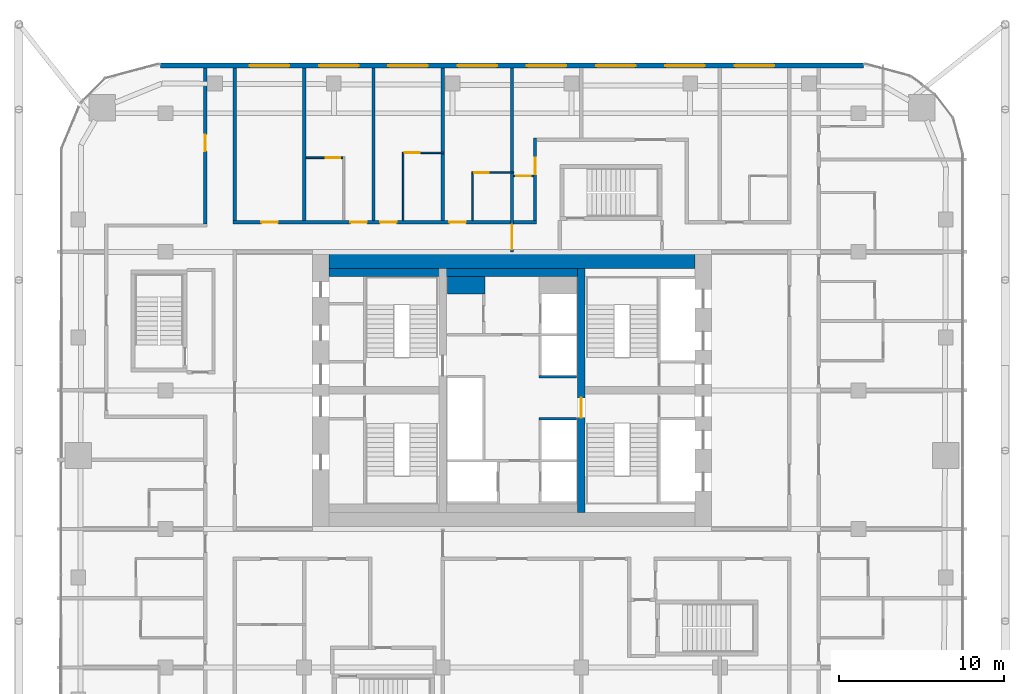
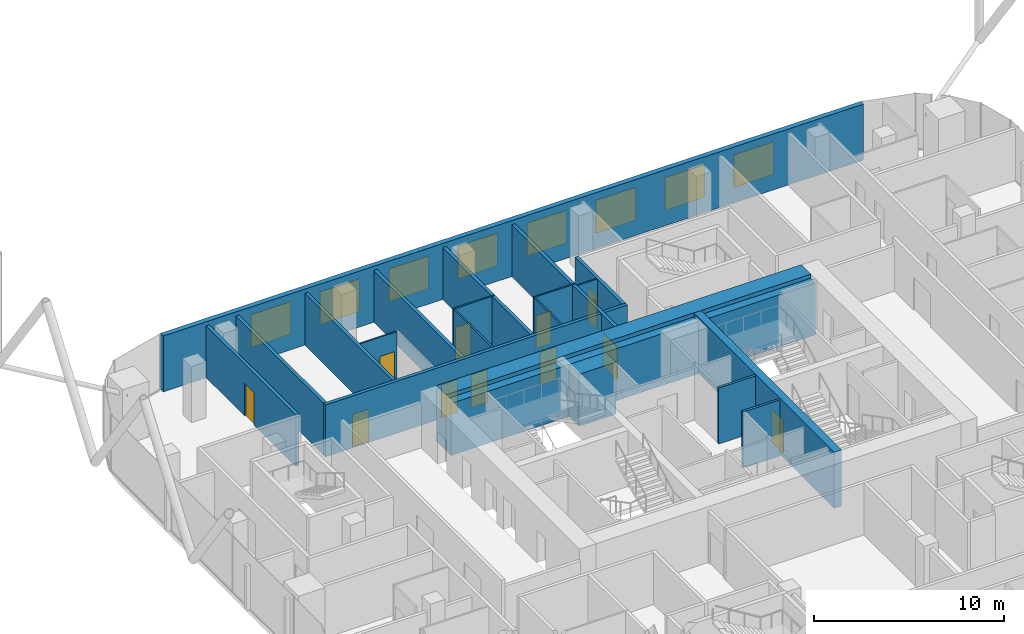
# One storey, part 29 of 33: 21 walls, 12 doors, 8 windows, 20 openings.
"""IFC4 building model written with IfcOpenShell, lengths in metres."""

from ifc_helpers import new_model, si_unit, direction, frame, frame_2d, origin, place, context, subcontext, project, spatial, rectangle, extrude, material, layer, layer_set, type_object, element, fill, save


model = new_model("IFC4")

# Units and contexts
model_context = context("Model", 3, precision=1e-05, world=origin(), true_north=direction((0.0, 1.0)))
body_context = subcontext(model_context, "Body", "Model", "MODEL_VIEW")
ifc_project = project(units=[si_unit("LENGTHUNIT", "METRE"), si_unit("AREAUNIT", "SQUARE_METRE"), si_unit("VOLUMEUNIT", "CUBIC_METRE"), si_unit("PLANEANGLEUNIT", "RADIAN"), si_unit("MASSUNIT", "GRAM", prefix="KILO")], contexts=[model_context])

# Site, building, storey
site_placement = place(None, origin())
site = spatial("IfcSite", under=ifc_project, at=site_placement, CompositionType="ELEMENT")
building_placement = place(site_placement, origin())
building = spatial("IfcBuilding", under=site, at=building_placement, Name="Marenta Gate Hotel Tower", CompositionType="ELEMENT")
storey_placement = place(building_placement, frame((0.0, 0.0, 108.5)))
storey = spatial("IfcBuildingStorey", under=building, at=storey_placement, Name="L23", CompositionType="ELEMENT", Elevation=108.5)

# Wall, openings, windows
ifc_material_1 = material(Name="Concrete C40 board-marked", Category="concrete")
ifc_layer_1 = layer(ifc_material_1, 0.300048828125)
ifc_layer_set_1 = layer_set([ifc_layer_1], Name="Concrete C40 board-marked")
wall_type_1 = type_object("IfcWallType", Name="Board-marked concrete wall 300 mm", PredefinedType="NOTDEFINED", material=ifc_layer_set_1)
wall_1_placement = place(storey_placement, frame((21.305908203125, 28.090087890625, 0.0), z_axis=(0.0, 0.0, 1.0), x_axis=(-1.0, 0.0, 0.0)))
wall_1 = element("IfcWall", 1, at=wall_1_placement, inside=storey, type_object=wall_type_1, Name="L23-CLD-N00", PredefinedType="NOTDEFINED", context=body_context, shape_type="SweptSolid", body=[
    extrude(rectangle(XDim=42.61181640625, YDim=0.300048828125, at=frame_2d((21.305908203125, 0.0))), origin(), (0.0, 0.0, 1.0), 3.60009765625),
])
opening_1_placement = place(wall_1_placement, frame((5.406005859375, 0.0, 0.89990234375)))
opening_1 = element("IfcOpeningElement", 2, at=opening_1_placement, cuts=wall_1, Name="Opening W1", PredefinedType="OPENING", context=body_context, shape_type="SweptSolid", body=[
    extrude(rectangle(XDim=2.39990234375, YDim=2.10009765625, at=frame_2d((1.199951171875, 1.050048828125))), frame((0.0, 0.14990234375, 0.0), z_axis=(0.0, -1.0, 0.0), x_axis=(1.0, 0.0, 0.0)), (0.0, 0.0, 1.0), 0.300048828125),
])
opening_2_placement = place(wall_1_placement, frame((9.60595703125, 0.0, 0.89990234375)))
opening_2 = element("IfcOpeningElement", 3, at=opening_2_placement, cuts=wall_1, Name="Opening W1", PredefinedType="OPENING", context=body_context, shape_type="SweptSolid", body=[
    extrude(rectangle(XDim=2.39990234375, YDim=2.10009765625, at=frame_2d((1.199951171875, 1.050048828125))), frame((0.0, 0.14990234375, 0.0), z_axis=(0.0, -1.0, 0.0), x_axis=(1.0, 0.0, 0.0)), (0.0, 0.0, 1.0), 0.300048828125),
])
opening_3_placement = place(wall_1_placement, frame((13.805908203125, 0.0, 0.89990234375)))
opening_3 = element("IfcOpeningElement", 4, at=opening_3_placement, cuts=wall_1, Name="Opening W1", PredefinedType="OPENING", context=body_context, shape_type="SweptSolid", body=[
    extrude(rectangle(XDim=2.39990234375, YDim=2.10009765625, at=frame_2d((1.199951171875, 1.050048828125))), frame((0.0, 0.14990234375, 0.0), z_axis=(0.0, -1.0, 0.0), x_axis=(1.0, 0.0, 0.0)), (0.0, 0.0, 1.0), 0.300048828125),
])
opening_4_placement = place(wall_1_placement, frame((18.005859375, 0.0, 0.89990234375)))
opening_4 = element("IfcOpeningElement", 5, at=opening_4_placement, cuts=wall_1, Name="Opening W1", PredefinedType="OPENING", context=body_context, shape_type="SweptSolid", body=[
    extrude(rectangle(XDim=2.39990234375, YDim=2.10009765625, at=frame_2d((1.199951171875, 1.050048828125))), frame((0.0, 0.14990234375, 0.0), z_axis=(0.0, -1.0, 0.0), x_axis=(1.0, 0.0, 0.0)), (0.0, 0.0, 1.0), 0.300048828125),
])
opening_5_placement = place(wall_1_placement, frame((22.205810546875, 0.0, 0.89990234375)))
opening_5 = element("IfcOpeningElement", 6, at=opening_5_placement, cuts=wall_1, Name="Opening W1", PredefinedType="OPENING", context=body_context, shape_type="SweptSolid", body=[
    extrude(rectangle(XDim=2.39990234375, YDim=2.10009765625, at=frame_2d((1.199951171875, 1.050048828125))), frame((0.0, 0.14990234375, 0.0), z_axis=(0.0, -1.0, 0.0), x_axis=(1.0, 0.0, 0.0)), (0.0, 0.0, 1.0), 0.300048828125),
])
opening_6_placement = place(wall_1_placement, frame((26.406005859375, 0.0, 0.89990234375)))
opening_6 = element("IfcOpeningElement", 7, at=opening_6_placement, cuts=wall_1, Name="Opening W1", PredefinedType="OPENING", context=body_context, shape_type="SweptSolid", body=[
    extrude(rectangle(XDim=2.39990234375, YDim=2.10009765625, at=frame_2d((1.199951171875, 1.050048828125))), frame((0.0, 0.14990234375, 0.0), z_axis=(0.0, -1.0, 0.0), x_axis=(1.0, 0.0, 0.0)), (0.0, 0.0, 1.0), 0.300048828125),
])
opening_7_placement = place(wall_1_placement, frame((30.60595703125, 0.0, 0.89990234375)))
opening_7 = element("IfcOpeningElement", 8, at=opening_7_placement, cuts=wall_1, Name="Opening W1", PredefinedType="OPENING", context=body_context, shape_type="SweptSolid", body=[
    extrude(rectangle(XDim=2.39990234375, YDim=2.10009765625, at=frame_2d((1.199951171875, 1.050048828125))), frame((0.0, 0.14990234375, 0.0), z_axis=(0.0, -1.0, 0.0), x_axis=(1.0, 0.0, 0.0)), (0.0, 0.0, 1.0), 0.300048828125),
])
opening_8_placement = place(wall_1_placement, frame((34.805908203125, 0.0, 0.89990234375)))
opening_8 = element("IfcOpeningElement", 9, at=opening_8_placement, cuts=wall_1, Name="Opening W1", PredefinedType="OPENING", context=body_context, shape_type="SweptSolid", body=[
    extrude(rectangle(XDim=2.39990234375, YDim=2.10009765625, at=frame_2d((1.199951171875, 1.050048828125))), frame((0.0, 0.14990234375, 0.0), z_axis=(0.0, -1.0, 0.0), x_axis=(1.0, 0.0, 0.0)), (0.0, 0.0, 1.0), 0.300048828125),
])
ifc_material_2 = material(Name="Tinted insulated glass in bronze anodised frame", Category="glass")
window_type = type_object("IfcWindowType", Name="Window W1 2400x2100 bronze frame", PartitioningType="SINGLE_PANEL", PredefinedType="WINDOW", material=ifc_material_2)
window_1_placement = place(opening_1_placement, origin())
window_1 = element("IfcWindow", 10, at=window_1_placement, inside=storey, type_object=window_type, Name="Window W1", OverallHeight=2.10009765625, OverallWidth=2.39990234375, PartitioningType="SINGLE_PANEL", PredefinedType="WINDOW", context=body_context, shape_type="SweptSolid", body=[
    extrude(rectangle(XDim=2.39990234375, YDim=2.10009765625, at=frame_2d((1.199951171875, 1.050048828125))), frame((0.0, 0.030029296875, 0.0), z_axis=(0.0, -1.0, 0.0), x_axis=(1.0, 0.0, 0.0)), (0.0, 0.0, 1.0), 0.06005859375),
])
fill(opening_1, window_1)
window_2_placement = place(opening_2_placement, origin())
window_2 = element("IfcWindow", 11, at=window_2_placement, inside=storey, type_object=window_type, Name="Window W1", OverallHeight=2.10009765625, OverallWidth=2.39990234375, PartitioningType="SINGLE_PANEL", PredefinedType="WINDOW", context=body_context, shape_type="SweptSolid", body=[
    extrude(rectangle(XDim=2.39990234375, YDim=2.10009765625, at=frame_2d((1.199951171875, 1.050048828125))), frame((0.0, 0.030029296875, 0.0), z_axis=(0.0, -1.0, 0.0), x_axis=(1.0, 0.0, 0.0)), (0.0, 0.0, 1.0), 0.06005859375),
])
fill(opening_2, window_2)
window_3_placement = place(opening_3_placement, origin())
window_3 = element("IfcWindow", 12, at=window_3_placement, inside=storey, type_object=window_type, Name="Window W1", OverallHeight=2.10009765625, OverallWidth=2.39990234375, PartitioningType="SINGLE_PANEL", PredefinedType="WINDOW", context=body_context, shape_type="SweptSolid", body=[
    extrude(rectangle(XDim=2.39990234375, YDim=2.10009765625, at=frame_2d((1.199951171875, 1.050048828125))), frame((0.0, 0.030029296875, 0.0), z_axis=(0.0, -1.0, 0.0), x_axis=(1.0, 0.0, 0.0)), (0.0, 0.0, 1.0), 0.06005859375),
])
fill(opening_3, window_3)
window_4_placement = place(opening_4_placement, origin())
window_4 = element("IfcWindow", 13, at=window_4_placement, inside=storey, type_object=window_type, Name="Window W1", OverallHeight=2.10009765625, OverallWidth=2.39990234375, PartitioningType="SINGLE_PANEL", PredefinedType="WINDOW", context=body_context, shape_type="SweptSolid", body=[
    extrude(rectangle(XDim=2.39990234375, YDim=2.10009765625, at=frame_2d((1.199951171875, 1.050048828125))), frame((0.0, 0.030029296875, 0.0), z_axis=(0.0, -1.0, 0.0), x_axis=(1.0, 0.0, 0.0)), (0.0, 0.0, 1.0), 0.06005859375),
])
fill(opening_4, window_4)
window_5_placement = place(opening_5_placement, origin())
window_5 = element("IfcWindow", 14, at=window_5_placement, inside=storey, type_object=window_type, Name="Window W1", OverallHeight=2.10009765625, OverallWidth=2.39990234375, PartitioningType="SINGLE_PANEL", PredefinedType="WINDOW", context=body_context, shape_type="SweptSolid", body=[
    extrude(rectangle(XDim=2.39990234375, YDim=2.10009765625, at=frame_2d((1.199951171875, 1.050048828125))), frame((0.0, 0.030029296875, 0.0), z_axis=(0.0, -1.0, 0.0), x_axis=(1.0, 0.0, 0.0)), (0.0, 0.0, 1.0), 0.06005859375),
])
fill(opening_5, window_5)
window_6_placement = place(opening_6_placement, origin())
window_6 = element("IfcWindow", 15, at=window_6_placement, inside=storey, type_object=window_type, Name="Window W1", OverallHeight=2.10009765625, OverallWidth=2.39990234375, PartitioningType="SINGLE_PANEL", PredefinedType="WINDOW", context=body_context, shape_type="SweptSolid", body=[
    extrude(rectangle(XDim=2.39990234375, YDim=2.10009765625, at=frame_2d((1.199951171875, 1.050048828125))), frame((0.0, 0.030029296875, 0.0), z_axis=(0.0, -1.0, 0.0), x_axis=(1.0, 0.0, 0.0)), (0.0, 0.0, 1.0), 0.06005859375),
])
fill(opening_6, window_6)
window_7_placement = place(opening_7_placement, origin())
window_7 = element("IfcWindow", 16, at=window_7_placement, inside=storey, type_object=window_type, Name="Window W1", OverallHeight=2.10009765625, OverallWidth=2.39990234375, PartitioningType="SINGLE_PANEL", PredefinedType="WINDOW", context=body_context, shape_type="SweptSolid", body=[
    extrude(rectangle(XDim=2.39990234375, YDim=2.10009765625, at=frame_2d((1.199951171875, 1.050048828125))), frame((0.0, 0.030029296875, 0.0), z_axis=(0.0, -1.0, 0.0), x_axis=(1.0, 0.0, 0.0)), (0.0, 0.0, 1.0), 0.06005859375),
])
fill(opening_7, window_7)
window_8_placement = place(opening_8_placement, origin())
window_8 = element("IfcWindow", 17, at=window_8_placement, inside=storey, type_object=window_type, Name="Window W1", OverallHeight=2.10009765625, OverallWidth=2.39990234375, PartitioningType="SINGLE_PANEL", PredefinedType="WINDOW", context=body_context, shape_type="SweptSolid", body=[
    extrude(rectangle(XDim=2.39990234375, YDim=2.10009765625, at=frame_2d((1.199951171875, 1.050048828125))), frame((0.0, 0.030029296875, 0.0), z_axis=(0.0, -1.0, 0.0), x_axis=(1.0, 0.0, 0.0)), (0.0, 0.0, 1.0), 0.06005859375),
])
fill(opening_8, window_8)

# Wall, opening, door
ifc_material_3 = material(Name="Concrete blockwork", Category="masonry")
ifc_layer_2 = layer(ifc_material_3, 0.199951171875)
ifc_layer_set_2 = layer_set([ifc_layer_2], Name="Concrete blockwork")
wall_type_2 = type_object("IfcWallType", Name="Compartment wall 200 REI 180", PredefinedType="PARTITIONING", material=ifc_layer_set_2)
wall_2_placement = place(storey_placement, frame((0.0, 16.800048828125, 0.0), z_axis=(0.0, 0.0, 1.0), x_axis=(0.0, 1.0, 0.0)))
wall_2 = element("IfcWall", 18, at=wall_2_placement, inside=storey, type_object=wall_type_2, Name="L23-PTN-W072", PredefinedType="PARTITIONING", context=body_context, shape_type="SweptSolid", body=[
    extrude(rectangle(XDim=11.139892578125, YDim=0.199951171875, at=frame_2d((5.56982421875, 0.0))), origin(), (0.0, 0.0, 1.0), 3.340087890625),
])
opening_9_placement = place(wall_2_placement, frame((0.14990234375, 0.0, 0.0)))
opening_9 = element("IfcOpeningElement", 19, at=opening_9_placement, cuts=wall_2, Name="Opening G08-FD1", PredefinedType="OPENING", context=body_context, shape_type="SweptSolid", body=[
    extrude(rectangle(XDim=1.5, YDim=2.10009765625, at=frame_2d((0.75, 1.050048828125))), frame((0.0, 0.10009765625, 0.0), z_axis=(0.0, -1.0, 0.0), x_axis=(1.0, 0.0, 0.0)), (0.0, 0.0, 1.0), 0.199951171875),
])
ifc_material_4 = material(Name="Hollow steel door set", Category="steel")
door_type_1 = type_object("IfcDoorType", Name="Compartment fire door 1500x2100 EI 60", OperationType="DOUBLE_DOOR_DOUBLE_SWING", PredefinedType="DOOR", material=ifc_material_4)
door_1_placement = place(opening_9_placement, origin())
door_1 = element("IfcDoor", 20, at=door_1_placement, inside=storey, type_object=door_type_1, Name="L23-PD-FD01", OperationType="DOUBLE_DOOR_DOUBLE_SWING", OverallHeight=2.10009765625, OverallWidth=1.5, PredefinedType="DOOR", context=body_context, shape_type="SweptSolid", body=[
    extrude(rectangle(XDim=1.5, YDim=2.10009765625, at=frame_2d((0.75, 1.050048828125))), frame((0.0, 0.02490234375, 0.0), z_axis=(0.0, -1.0, 0.0), x_axis=(1.0, 0.0, 0.0)), (0.0, 0.0, 1.0), 0.050048828125),
])
fill(opening_9, door_1)

# Walls
ifc_material_5 = material(Name="Concrete C40", Category="concrete")
ifc_layer_3 = layer(ifc_material_5, 0.5)
ifc_layer_set_3 = layer_set([ifc_layer_3], Name="Concrete C40")
wall_type_3 = type_object("IfcWallType", Name="Core lining wall 500 REI 180", PredefinedType="PARTITIONING", material=ifc_layer_set_3)
wall_3_placement = place(storey_placement, frame((-11.10009765625, 15.550048828125, 0.0), z_axis=(0.0, 0.0, 1.0), x_axis=(1.0, 0.0, 0.0)))
element("IfcWall", 21, at=wall_3_placement, inside=storey, type_object=wall_type_3, Name="L23-CP-LN-N", PredefinedType="PARTITIONING", context=body_context, shape_type="SweptSolid", body=[
    extrude(rectangle(XDim=22.2001953125, YDim=0.5, at=frame_2d((11.10009765625, 0.0))), origin(), (0.0, 0.0, 1.0), 3.340087890625),
])
ifc_material_6 = material(Name="Concrete blockwork", Category="masonry")
ifc_layer_4 = layer(ifc_material_6, 1.050048828125)
ifc_layer_set_4 = layer_set([ifc_layer_4], Name="Concrete blockwork")
wall_type_4 = type_object("IfcWallType", Name="Core room partition 1050 REI 180", PredefinedType="PARTITIONING", material=ifc_layer_set_4)
wall_4_placement = place(storey_placement, frame((-3.89990234375, 14.77490234375, 0.0), z_axis=(0.0, 0.0, 1.0), x_axis=(1.0, 0.0, 0.0)))
element("IfcWall", 22, at=wall_4_placement, inside=storey, type_object=wall_type_4, Name="L23-CP-CW-W-riser-N", PredefinedType="PARTITIONING", context=body_context, shape_type="SweptSolid", body=[
    extrude(rectangle(XDim=2.25, YDim=1.050048828125, at=frame_2d((1.125, 0.0))), origin(), (0.0, 0.0, 1.0), 3.340087890625),
])
ifc_material_7 = material(Name="Concrete C40", Category="concrete")
ifc_layer_5 = layer(ifc_material_7, 0.14990234375)
ifc_layer_set_5 = layer_set([ifc_layer_5], Name="Concrete C40")
wall_type_5 = type_object("IfcWallType", Name="Core shaft wall 150 REI 180", PredefinedType="SHEAR", material=ifc_layer_set_5)
for number, where, z_axis, x_axis, name in (
    (23, (1.64990234375, 6.675048828125, 0.0), (0.0, 0.0, 1.0), (1.0, 0.0, 0.0), "L23-SHF-CE-sep1"),
    (24, (1.64990234375, 9.22509765625, 0.0), (0.0, 0.0, 1.0), (1.0, 0.0, 0.0), "L23-SHF-CE-sep2"),
):
    element("IfcWall", number, at=place(storey_placement, frame(where, z_axis=z_axis, x_axis=x_axis)), inside=storey, type_object=wall_type_5, Name=name, PredefinedType="SHEAR", context=body_context, shape_type="SweptSolid", body=[
        extrude(rectangle(XDim=2.25, YDim=0.14990234375, at=frame_2d((1.125, 0.0))), origin(), (0.0, 0.0, 1.0), 3.60009765625),
    ])
ifc_material_8 = material(Name="Concrete C70", Category="concrete")
ifc_layer_6 = layer(ifc_material_8, 1.0)
ifc_layer_set_6 = layer_set([ifc_layer_6], Name="Concrete C70")
wall_type_6 = type_object("IfcWallType", Name="Core wall 1000 C70", PredefinedType="SHEAR", material=ifc_layer_set_6)
wall_5_placement = place(storey_placement, frame((-11.10009765625, 16.300048828125, 0.0), z_axis=(0.0, 0.0, 1.0), x_axis=(1.0, 0.0, 0.0)))
element("IfcWall", 25, at=wall_5_placement, inside=storey, type_object=wall_type_6, Name="L23-CORE-N", PredefinedType="SHEAR", context=body_context, shape_type="SweptSolid", body=[
    extrude(rectangle(XDim=22.2001953125, YDim=1.0, at=frame_2d((11.10009765625, 0.0))), origin(), (0.0, 0.0, 1.0), 3.60009765625),
])

# Wall, opening, door
ifc_material_9 = material(Name="Concrete C70", Category="concrete")
ifc_layer_7 = layer(ifc_material_9, 0.449951171875)
ifc_layer_set_7 = layer_set([ifc_layer_7], Name="Concrete C70")
wall_type_7 = type_object("IfcWallType", Name="Core web 450 C70", PredefinedType="SHEAR", material=ifc_layer_set_7)
wall_6_placement = place(storey_placement, frame((4.199951171875, 1.0, 0.0), z_axis=(0.0, 0.0, 1.0), x_axis=(0.0, 1.0, 0.0)))
wall_6 = element("IfcWall", 26, at=wall_6_placement, inside=storey, type_object=wall_type_7, Name="L23-CORE-W2", PredefinedType="SHEAR", context=body_context, shape_type="SweptSolid", body=[
    extrude(rectangle(XDim=14.800048828125, YDim=0.449951171875, at=frame_2d((7.39990234375, 0.0))), origin(), (0.0, 0.0, 1.0), 3.60009765625),
])
opening_10_placement = place(wall_6_placement, frame((5.75, 0.0, 0.0)))
opening_10 = element("IfcOpeningElement", 27, at=opening_10_placement, cuts=wall_6, Name="Opening WD-E", PredefinedType="OPENING", context=body_context, shape_type="SweptSolid", body=[
    extrude(rectangle(XDim=1.199951171875, YDim=2.10009765625, at=frame_2d((0.60009765625, 1.050048828125))), frame((0.0, 0.22509765625, 0.0), z_axis=(0.0, -1.0, 0.0), x_axis=(1.0, 0.0, 0.0)), (0.0, 0.0, 1.0), 0.449951171875),
])
ifc_material_10 = material(Name="Steel", Category="steel")
door_type_2 = type_object("IfcDoorType", Name="Core stair door 1200x2100 FD60", OperationType="SINGLE_SWING_LEFT", PredefinedType="DOOR", material=ifc_material_10)
door_2_placement = place(opening_10_placement, origin())
door_2 = element("IfcDoor", 28, at=door_2_placement, inside=storey, type_object=door_type_2, Name="WD-E", OperationType="SINGLE_SWING_LEFT", OverallHeight=2.10009765625, OverallWidth=1.199951171875, PredefinedType="DOOR", context=body_context, shape_type="SweptSolid", body=[
    extrude(rectangle(XDim=1.199951171875, YDim=2.10009765625, at=frame_2d((0.60009765625, 1.050048828125))), frame((0.0, 0.02490234375, 0.0), z_axis=(0.0, -1.0, 0.0), x_axis=(1.0, 0.0, 0.0)), (0.0, 0.0, 1.0), 0.050048828125),
])
fill(opening_10, door_2)

ifc_material_11 = material(Name="Gypsum board on steel stud", Category="steel")
ifc_layer_8 = layer(ifc_material_11, 0.199951171875)
ifc_layer_set_8 = layer_set([ifc_layer_8], Name="Gypsum board on steel stud")
wall_type_8 = type_object("IfcWallType", Name="Room corridor wall 200 EI 60", PredefinedType="PARTITIONING", material=ifc_layer_set_8)
wall_7_placement = place(storey_placement, frame((1.39990234375, 18.699951171875, 0.0), z_axis=(0.0, 0.0, 1.0), x_axis=(0.0, 1.0, 0.0)))
wall_7 = element("IfcWall", 29, at=wall_7_placement, inside=storey, type_object=wall_type_8, Name="L23-PTN-W070", PredefinedType="PARTITIONING", context=body_context, shape_type="SweptSolid", body=[
    extrude(rectangle(XDim=5.0, YDim=0.199951171875, at=frame_2d((2.5, 0.0))), origin(), (0.0, 0.0, 1.0), 3.340087890625),
])
opening_11_placement = place(wall_7_placement, frame((2.800048828125, 0.0, 0.0)))
opening_11 = element("IfcOpeningElement", 30, at=opening_11_placement, cuts=wall_7, Name="Opening G08-32", PredefinedType="OPENING", context=body_context, shape_type="SweptSolid", body=[
    extrude(rectangle(XDim=1.0, YDim=2.10009765625, at=frame_2d((0.5, 1.050048828125))), frame((0.0, 0.10009765625, 0.0), z_axis=(0.0, -1.0, 0.0), x_axis=(1.0, 0.0, 0.0)), (0.0, 0.0, 1.0), 0.199951171875),
])
ifc_material_12 = material(Name="Timber door leaf", Category="wood")
door_type_3 = type_object("IfcDoorType", Name="Guest room door 1000x2100 EI 30", OperationType="NOTDEFINED", PredefinedType="DOOR", material=ifc_material_12)
door_3_placement = place(opening_11_placement, origin())
door_3 = element("IfcDoor", 31, at=door_3_placement, inside=storey, type_object=door_type_3, Name="L23-PD-D032", OperationType="SINGLE_SWING_RIGHT", OverallHeight=2.10009765625, OverallWidth=1.0, PredefinedType="DOOR", context=body_context, shape_type="SweptSolid", body=[
    extrude(rectangle(XDim=1.0, YDim=2.10009765625, at=frame_2d((0.5, 1.050048828125))), frame((0.0, 0.02490234375, 0.0), z_axis=(0.0, -1.0, 0.0), x_axis=(1.0, 0.0, 0.0)), (0.0, 0.0, 1.0), 0.050048828125),
])
fill(opening_11, door_3)

# Wall
wall_8_placement = place(storey_placement, frame((-16.800048828125, 18.699951171875, 0.0), z_axis=(0.0, 0.0, 1.0), x_axis=(0.0, 1.0, 0.0)))
element("IfcWall", 32, at=wall_8_placement, inside=storey, type_object=wall_type_8, Name="L23-PTN-W105", PredefinedType="PARTITIONING", context=body_context, shape_type="SweptSolid", body=[
    extrude(rectangle(XDim=9.239990234375, YDim=0.199951171875, at=frame_2d((4.6201171875, 0.0))), origin(), (0.0, 0.0, 1.0), 3.340087890625),
])

# Wall, opening, door
wall_9_placement = place(storey_placement, frame((-18.60009765625, 18.5, 0.0), z_axis=(0.0, 0.0, 1.0), x_axis=(0.0, 1.0, 0.0)))
wall_9 = element("IfcWall", 33, at=wall_9_placement, inside=storey, type_object=wall_type_8, Name="L23-PTN-W111", PredefinedType="PARTITIONING", context=body_context, shape_type="SweptSolid", body=[
    extrude(rectangle(XDim=9.43994140625, YDim=0.199951171875, at=frame_2d((4.719970703125, 0.0))), origin(), (0.0, 0.0, 1.0), 3.340087890625),
])
opening_12_placement = place(wall_9_placement, frame((4.39990234375, 0.0, 0.0)))
opening_12 = element("IfcOpeningElement", 34, at=opening_12_placement, cuts=wall_9, Name="Opening G08-70", PredefinedType="OPENING", context=body_context, shape_type="SweptSolid", body=[
    extrude(rectangle(XDim=1.0, YDim=2.10009765625, at=frame_2d((0.5, 1.050048828125))), frame((0.0, 0.10009765625, 0.0), z_axis=(0.0, -1.0, 0.0), x_axis=(1.0, 0.0, 0.0)), (0.0, 0.0, 1.0), 0.199951171875),
])
ifc_material_13 = material(Name="Timber door leaf", Category="wood")
door_type_4 = type_object("IfcDoorType", Name="Room amenity door 1000x2100 EI 30", OperationType="NOTDEFINED", PredefinedType="DOOR", material=ifc_material_13)
door_4_placement = place(opening_12_placement, origin())
door_4 = element("IfcDoor", 35, at=door_4_placement, inside=storey, type_object=door_type_4, Name="L23-PD-D070", OperationType="SINGLE_SWING_RIGHT", OverallHeight=2.10009765625, OverallWidth=1.0, PredefinedType="DOOR", context=body_context, shape_type="SweptSolid", body=[
    extrude(rectangle(XDim=1.0, YDim=2.10009765625, at=frame_2d((0.5, 1.050048828125))), frame((0.0, 0.02490234375, 0.0), z_axis=(0.0, -1.0, 0.0), x_axis=(1.0, 0.0, 0.0)), (0.0, 0.0, 1.0), 0.050048828125),
])
fill(opening_12, door_4)

# Wall, openings, doors
wall_10_placement = place(storey_placement, frame((-16.89990234375, 18.60009765625, 0.0), z_axis=(0.0, 0.0, 1.0), x_axis=(1.0, 0.0, 0.0)))
wall_10 = element("IfcWall", 36, at=wall_10_placement, inside=storey, type_object=wall_type_8, Name="L23-PTN-W112", PredefinedType="PARTITIONING", context=body_context, shape_type="SweptSolid", body=[
    extrude(rectangle(XDim=18.39990234375, YDim=0.199951171875, at=frame_2d((9.199951171875, 0.0))), origin(), (0.0, 0.0, 1.0), 3.340087890625),
])
opening_13_placement = place(wall_10_placement, frame((1.699951171875, 0.0, 0.0)))
opening_13 = element("IfcOpeningElement", 37, at=opening_13_placement, cuts=wall_10, Name="Opening G08-25", PredefinedType="OPENING", context=body_context, shape_type="SweptSolid", body=[
    extrude(rectangle(XDim=1.0, YDim=2.10009765625, at=frame_2d((0.5, 1.050048828125))), frame((0.0, 0.10009765625, 0.0), z_axis=(0.0, -1.0, 0.0), x_axis=(1.0, 0.0, 0.0)), (0.0, 0.0, 1.0), 0.199951171875),
])
opening_14_placement = place(wall_10_placement, frame((7.10009765625, 0.0, 0.0)))
opening_14 = element("IfcOpeningElement", 38, at=opening_14_placement, cuts=wall_10, Name="Opening G08-26", PredefinedType="OPENING", context=body_context, shape_type="SweptSolid", body=[
    extrude(rectangle(XDim=1.0, YDim=2.10009765625, at=frame_2d((0.5, 1.050048828125))), frame((0.0, 0.10009765625, 0.0), z_axis=(0.0, -1.0, 0.0), x_axis=(1.0, 0.0, 0.0)), (0.0, 0.0, 1.0), 0.199951171875),
])
opening_15_placement = place(wall_10_placement, frame((8.89990234375, 0.0, 0.0)))
opening_15 = element("IfcOpeningElement", 39, at=opening_15_placement, cuts=wall_10, Name="Opening G08-28", PredefinedType="OPENING", context=body_context, shape_type="SweptSolid", body=[
    extrude(rectangle(XDim=1.0, YDim=2.10009765625, at=frame_2d((0.5, 1.050048828125))), frame((0.0, 0.10009765625, 0.0), z_axis=(0.0, -1.0, 0.0), x_axis=(1.0, 0.0, 0.0)), (0.0, 0.0, 1.0), 0.199951171875),
])
opening_16_placement = place(wall_10_placement, frame((13.10009765625, 0.0, 0.0)))
opening_16 = element("IfcOpeningElement", 40, at=opening_16_placement, cuts=wall_10, Name="Opening G08-30", PredefinedType="OPENING", context=body_context, shape_type="SweptSolid", body=[
    extrude(rectangle(XDim=1.0, YDim=2.10009765625, at=frame_2d((0.5, 1.050048828125))), frame((0.0, 0.10009765625, 0.0), z_axis=(0.0, -1.0, 0.0), x_axis=(1.0, 0.0, 0.0)), (0.0, 0.0, 1.0), 0.199951171875),
])
door_5_placement = place(opening_14_placement, origin())
door_5 = element("IfcDoor", 41, at=door_5_placement, inside=storey, type_object=door_type_3, Name="L23-PD-D026", OperationType="SINGLE_SWING_LEFT", OverallHeight=2.10009765625, OverallWidth=1.0, PredefinedType="DOOR", context=body_context, shape_type="SweptSolid", body=[
    extrude(rectangle(XDim=1.0, YDim=2.10009765625, at=frame_2d((0.5, 1.050048828125))), frame((0.0, 0.02490234375, 0.0), z_axis=(0.0, -1.0, 0.0), x_axis=(1.0, 0.0, 0.0)), (0.0, 0.0, 1.0), 0.050048828125),
])
fill(opening_14, door_5)
door_6_placement = place(opening_15_placement, origin())
door_6 = element("IfcDoor", 42, at=door_6_placement, inside=storey, type_object=door_type_3, Name="L23-PD-D028", OperationType="SINGLE_SWING_LEFT", OverallHeight=2.10009765625, OverallWidth=1.0, PredefinedType="DOOR", context=body_context, shape_type="SweptSolid", body=[
    extrude(rectangle(XDim=1.0, YDim=2.10009765625, at=frame_2d((0.5, 1.050048828125))), frame((0.0, 0.02490234375, 0.0), z_axis=(0.0, -1.0, 0.0), x_axis=(1.0, 0.0, 0.0)), (0.0, 0.0, 1.0), 0.050048828125),
])
fill(opening_15, door_6)
door_7_placement = place(opening_16_placement, origin())
door_7 = element("IfcDoor", 43, at=door_7_placement, inside=storey, type_object=door_type_3, Name="L23-PD-D030", OperationType="SINGLE_SWING_LEFT", OverallHeight=2.10009765625, OverallWidth=1.0, PredefinedType="DOOR", context=body_context, shape_type="SweptSolid", body=[
    extrude(rectangle(XDim=1.0, YDim=2.10009765625, at=frame_2d((0.5, 1.050048828125))), frame((0.0, 0.02490234375, 0.0), z_axis=(0.0, -1.0, 0.0), x_axis=(1.0, 0.0, 0.0)), (0.0, 0.0, 1.0), 0.050048828125),
])
fill(opening_16, door_7)
door_8_placement = place(opening_13_placement, origin())
door_8 = element("IfcDoor", 44, at=door_8_placement, inside=storey, type_object=door_type_4, Name="L23-PD-D025", OperationType="SINGLE_SWING_RIGHT", OverallHeight=2.10009765625, OverallWidth=1.0, PredefinedType="DOOR", context=body_context, shape_type="SweptSolid", body=[
    extrude(rectangle(XDim=1.0, YDim=2.10009765625, at=frame_2d((0.5, 1.050048828125))), frame((0.0, 0.02490234375, 0.0), z_axis=(0.0, -1.0, 0.0), x_axis=(1.0, 0.0, 0.0)), (0.0, 0.0, 1.0), 0.050048828125),
])
fill(opening_13, door_8)

# Walls
ifc_material_14 = material(Name="Gypsum board on steel stud", Category="steel")
ifc_layer_9 = layer(ifc_material_14, 0.10009765625)
ifc_layer_set_9 = layer_set([ifc_layer_9], Name="Gypsum board on steel stud")
wall_type_9 = type_object("IfcWallType", Name="Room partition 100", PredefinedType="PARTITIONING", material=ifc_layer_set_9)
wall_11_placement = place(storey_placement, frame((-2.39990234375, 18.699951171875, 0.0), z_axis=(0.0, 0.0, 1.0), x_axis=(0.0, 1.0, 0.0)))
element("IfcWall", 45, at=wall_11_placement, inside=storey, type_object=wall_type_9, Name="L23-PTN-W076", PredefinedType="PARTITIONING", context=body_context, shape_type="SweptSolid", body=[
    extrude(rectangle(XDim=2.85009765625, YDim=0.10009765625, at=frame_2d((1.425048828125, 0.0))), origin(), (0.0, 0.0, 1.0), 3.340087890625),
])
wall_12_placement = place(storey_placement, frame((-6.60009765625, 18.699951171875, 0.0), z_axis=(0.0, 0.0, 1.0), x_axis=(0.0, 1.0, 0.0)))
element("IfcWall", 46, at=wall_12_placement, inside=storey, type_object=wall_type_9, Name="L23-PTN-W084", PredefinedType="PARTITIONING", context=body_context, shape_type="SweptSolid", body=[
    extrude(rectangle(XDim=4.050048828125, YDim=0.10009765625, at=frame_2d((2.02490234375, 0.0))), origin(), (0.0, 0.0, 1.0), 3.340087890625),
])

# Wall, opening, door
wall_13_placement = place(storey_placement, frame((0.10009765625, 21.39990234375, 0.0), z_axis=(0.0, 0.0, 1.0), x_axis=(1.0, 0.0, 0.0)))
wall_13 = element("IfcWall", 47, at=wall_13_placement, inside=storey, type_object=wall_type_9, Name="L23-PTN-W116", PredefinedType="PARTITIONING", context=body_context, shape_type="SweptSolid", body=[
    extrude(rectangle(XDim=1.199951171875, YDim=0.10009765625, at=frame_2d((0.60009765625, 0.0))), origin(), (0.0, 0.0, 1.0), 3.340087890625),
])
opening_17_placement = place(wall_13_placement, frame((0.14990234375, 0.0, 0.0)))
opening_17 = element("IfcOpeningElement", 48, at=opening_17_placement, cuts=wall_13, Name="Opening G08-33", PredefinedType="OPENING", context=body_context, shape_type="SweptSolid", body=[
    extrude(rectangle(XDim=0.89990234375, YDim=2.10009765625, at=frame_2d((0.449951171875, 1.050048828125))), frame((0.0, 0.050048828125, 0.0), z_axis=(0.0, -1.0, 0.0), x_axis=(1.0, 0.0, 0.0)), (0.0, 0.0, 1.0), 0.10009765625),
])
ifc_material_15 = material(Name="Timber door leaf", Category="wood")
door_type_5 = type_object("IfcDoorType", Name="Guest bathroom door 900x2100", OperationType="NOTDEFINED", PredefinedType="DOOR", material=ifc_material_15)
door_9_placement = place(opening_17_placement, origin())
door_9 = element("IfcDoor", 49, at=door_9_placement, inside=storey, type_object=door_type_5, Name="L23-PD-D033", OperationType="SINGLE_SWING_LEFT", OverallHeight=2.10009765625, OverallWidth=0.89990234375, PredefinedType="DOOR", context=body_context, shape_type="SweptSolid", body=[
    extrude(rectangle(XDim=0.89990234375, YDim=2.10009765625, at=frame_2d((0.449951171875, 1.050048828125))), frame((0.0, 0.02490234375, 0.0), z_axis=(0.0, -1.0, 0.0), x_axis=(1.0, 0.0, 0.0)), (0.0, 0.0, 1.0), 0.050048828125),
])
fill(opening_17, door_9)

wall_14_placement = place(storey_placement, frame((-2.449951171875, 21.60009765625, 0.0), z_axis=(0.0, 0.0, 1.0), x_axis=(1.0, 0.0, 0.0)))
wall_14 = element("IfcWall", 50, at=wall_14_placement, inside=storey, type_object=wall_type_9, Name="L23-PTN-W118", PredefinedType="PARTITIONING", context=body_context, shape_type="SweptSolid", body=[
    extrude(rectangle(XDim=2.550048828125, YDim=0.10009765625, at=frame_2d((1.27490234375, 0.0))), origin(), (0.0, 0.0, 1.0), 3.340087890625),
])
opening_18_placement = place(wall_14_placement, frame((0.14990234375, 0.0, 0.0)))
opening_18 = element("IfcOpeningElement", 51, at=opening_18_placement, cuts=wall_14, Name="Opening G08-31", PredefinedType="OPENING", context=body_context, shape_type="SweptSolid", body=[
    extrude(rectangle(XDim=0.89990234375, YDim=2.10009765625, at=frame_2d((0.449951171875, 1.050048828125))), frame((0.0, 0.050048828125, 0.0), z_axis=(0.0, -1.0, 0.0), x_axis=(1.0, 0.0, 0.0)), (0.0, 0.0, 1.0), 0.10009765625),
])
door_10_placement = place(opening_18_placement, origin())
door_10 = element("IfcDoor", 52, at=door_10_placement, inside=storey, type_object=door_type_5, Name="L23-PD-D031", OperationType="SINGLE_SWING_RIGHT", OverallHeight=2.10009765625, OverallWidth=0.89990234375, PredefinedType="DOOR", context=body_context, shape_type="SweptSolid", body=[
    extrude(rectangle(XDim=0.89990234375, YDim=2.10009765625, at=frame_2d((0.449951171875, 1.050048828125))), frame((0.0, 0.02490234375, 0.0), z_axis=(0.0, -1.0, 0.0), x_axis=(1.0, 0.0, 0.0)), (0.0, 0.0, 1.0), 0.050048828125),
])
fill(opening_18, door_10)

wall_15_placement = place(storey_placement, frame((-12.5, 22.5, 0.0), z_axis=(0.0, 0.0, 1.0), x_axis=(1.0, 0.0, 0.0)))
wall_15 = element("IfcWall", 53, at=wall_15_placement, inside=storey, type_object=wall_type_9, Name="L23-PTN-W124", PredefinedType="PARTITIONING", context=body_context, shape_type="SweptSolid", body=[
    extrude(rectangle(XDim=2.25, YDim=0.10009765625, at=frame_2d((1.125, 0.0))), origin(), (0.0, 0.0, 1.0), 3.340087890625),
])
opening_19_placement = place(wall_15_placement, frame((1.199951171875, 0.0, 0.0)))
opening_19 = element("IfcOpeningElement", 54, at=opening_19_placement, cuts=wall_15, Name="Opening G08-27", PredefinedType="OPENING", context=body_context, shape_type="SweptSolid", body=[
    extrude(rectangle(XDim=0.89990234375, YDim=2.10009765625, at=frame_2d((0.449951171875, 1.050048828125))), frame((0.0, 0.050048828125, 0.0), z_axis=(0.0, -1.0, 0.0), x_axis=(1.0, 0.0, 0.0)), (0.0, 0.0, 1.0), 0.10009765625),
])
door_11_placement = place(opening_19_placement, origin())
door_11 = element("IfcDoor", 55, at=door_11_placement, inside=storey, type_object=door_type_5, Name="L23-PD-D027", OperationType="SINGLE_SWING_LEFT", OverallHeight=2.10009765625, OverallWidth=0.89990234375, PredefinedType="DOOR", context=body_context, shape_type="SweptSolid", body=[
    extrude(rectangle(XDim=0.89990234375, YDim=2.10009765625, at=frame_2d((0.449951171875, 1.050048828125))), frame((0.0, 0.02490234375, 0.0), z_axis=(0.0, -1.0, 0.0), x_axis=(1.0, 0.0, 0.0)), (0.0, 0.0, 1.0), 0.050048828125),
])
fill(opening_19, door_11)

wall_16_placement = place(storey_placement, frame((-6.64990234375, 22.800048828125, 0.0), z_axis=(0.0, 0.0, 1.0), x_axis=(1.0, 0.0, 0.0)))
wall_16 = element("IfcWall", 56, at=wall_16_placement, inside=storey, type_object=wall_type_9, Name="L23-PTN-W126", PredefinedType="PARTITIONING", context=body_context, shape_type="SweptSolid", body=[
    extrude(rectangle(XDim=2.5498046875, YDim=0.10009765625, at=frame_2d((1.27490234375, 0.0))), origin(), (0.0, 0.0, 1.0), 3.340087890625),
])
opening_20_placement = place(wall_16_placement, frame((0.14990234375, 0.0, 0.0)))
opening_20 = element("IfcOpeningElement", 57, at=opening_20_placement, cuts=wall_16, Name="Opening G08-29", PredefinedType="OPENING", context=body_context, shape_type="SweptSolid", body=[
    extrude(rectangle(XDim=0.89990234375, YDim=2.10009765625, at=frame_2d((0.449951171875, 1.050048828125))), frame((0.0, 0.050048828125, 0.0), z_axis=(0.0, -1.0, 0.0), x_axis=(1.0, 0.0, 0.0)), (0.0, 0.0, 1.0), 0.10009765625),
])
door_12_placement = place(opening_20_placement, origin())
door_12 = element("IfcDoor", 58, at=door_12_placement, inside=storey, type_object=door_type_5, Name="L23-PD-D029", OperationType="SINGLE_SWING_RIGHT", OverallHeight=2.10009765625, OverallWidth=0.89990234375, PredefinedType="DOOR", context=body_context, shape_type="SweptSolid", body=[
    extrude(rectangle(XDim=0.89990234375, YDim=2.10009765625, at=frame_2d((0.449951171875, 1.050048828125))), frame((0.0, 0.02490234375, 0.0), z_axis=(0.0, -1.0, 0.0), x_axis=(1.0, 0.0, 0.0)), (0.0, 0.0, 1.0), 0.050048828125),
])
fill(opening_20, door_12)

# Walls
ifc_material_16 = material(Name="Gypsum board on steel stud", Category="steel")
ifc_layer_10 = layer(ifc_material_16, 0.199951171875)
ifc_layer_set_10 = layer_set([ifc_layer_10], Name="Gypsum board on steel stud")
wall_type_10 = type_object("IfcWallType", Name="Room party wall 200 EI 60", PredefinedType="PARTITIONING", material=ifc_layer_set_10)
for number, where, z_axis, x_axis, name in (
    (59, (-4.199951171875, 18.699951171875, 0.0), (0.0, 0.0, 1.0), (0.0, 1.0, 0.0), "L23-PTN-W079"),
    (60, (-8.39990234375, 18.699951171875, 0.0), (0.0, 0.0, 1.0), (0.0, 1.0, 0.0), "L23-PTN-W087"),
    (61, (-12.60009765625, 18.699951171875, 0.0), (0.0, 0.0, 1.0), (0.0, 1.0, 0.0), "L23-PTN-W098"),
):
    element("IfcWall", number, at=place(storey_placement, frame(where, z_axis=z_axis, x_axis=x_axis)), inside=storey, type_object=wall_type_10, Name=name, PredefinedType="PARTITIONING", context=body_context, shape_type="SweptSolid", body=[
        extrude(rectangle(XDim=9.239990234375, YDim=0.199951171875, at=frame_2d((4.6201171875, 0.0))), origin(), (0.0, 0.0, 1.0), 3.340087890625),
    ])

save(model, "model.ifc")
